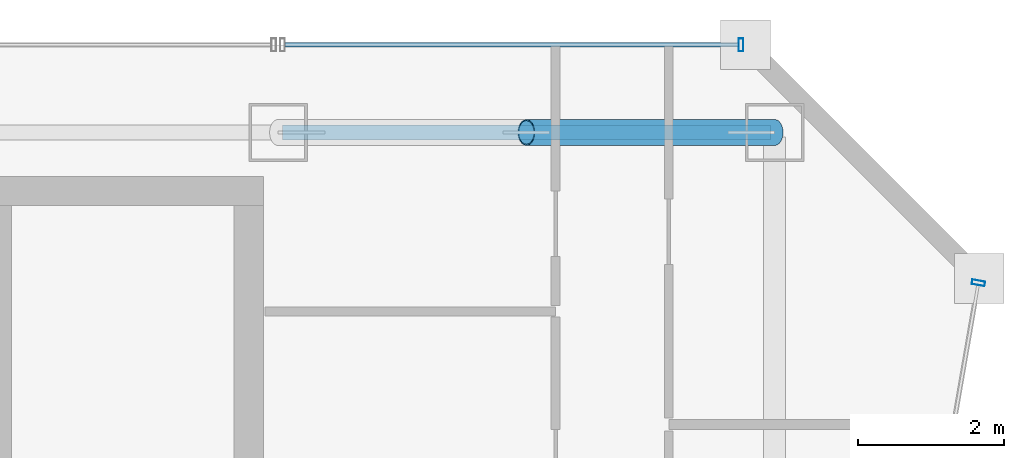
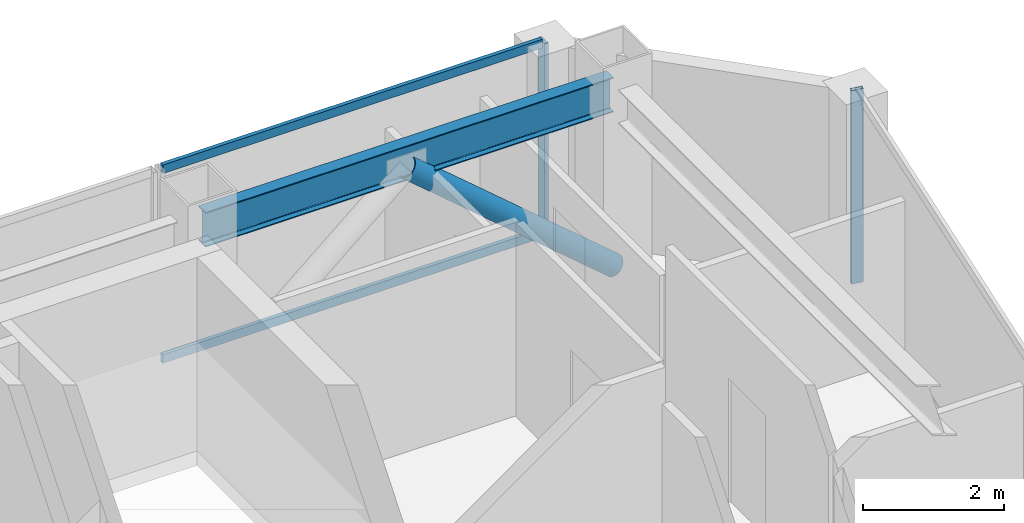
# One storey, part 25 of 35: 5 members, 1 beam, 2 elements without a shape of their own.
"""IFC4 building model written with IfcOpenShell, lengths in metres."""

from ifc_helpers import new_model, si_unit, direction, frame, origin, origin_2d, place, context, subcontext, project, spatial, hollow_rectangle, hollow_circle, i_section, extrude, material, material_profile, profile_set, type_object, element, aggregate, save


model = new_model("IFC4")

# Units and contexts
model_context = context("Model", 3, precision=1e-05, world=origin(), true_north=direction((0.0, 1.0)))
body_context = subcontext(model_context, "Body", "Model", "MODEL_VIEW")
ifc_project = project(units=[si_unit("LENGTHUNIT", "METRE"), si_unit("AREAUNIT", "SQUARE_METRE"), si_unit("VOLUMEUNIT", "CUBIC_METRE"), si_unit("PLANEANGLEUNIT", "RADIAN"), si_unit("MASSUNIT", "GRAM", prefix="KILO")], contexts=[model_context])

# Site, building, storey
site_placement = place(None, origin())
site = spatial("IfcSite", under=ifc_project, at=site_placement, CompositionType="ELEMENT")
building_placement = place(site_placement, origin())
building = spatial("IfcBuilding", under=site, at=building_placement, Name="Saevonmaru Cultural Tower", CompositionType="ELEMENT")
storey_placement = place(building_placement, frame((0.0, 0.0, 249.60009765625)))
storey = spatial("IfcBuildingStorey", under=building, at=storey_placement, Name="L58", CompositionType="ELEMENT", Elevation=249.60009765625)

# Beam
ifc_material_1 = material(Name="Steel SM355", Category="steel")
ifc_material_profile_1 = material_profile(ifc_material_1, i_section(OverallWidth=0.199951171875, OverallDepth=0.60009765625, WebThickness=0.010986328125, FlangeThickness=0.01708984375, FilletRadius=0.02197265625, at=origin_2d()), Name="H-600x200x11x17")
ifc_profile_set_1 = profile_set([ifc_material_profile_1], Name="Steel SM355")
beam_type = type_object("IfcBeamType", Name="BM-SP-H600", PredefinedType="SPANDREL", material=ifc_profile_set_1)
beam_placement = place(storey_placement, frame((46.4599609375, 54.800048828125, 3.0498046875), z_axis=(1.0, 0.0, 0.0), x_axis=(0.0, 1.0, 0.0)))
element("IfcBeam", 1, at=beam_placement, inside=storey, type_object=beam_type, Name="L58 North Spine Girder 5", PredefinedType="SPANDREL", context=body_context, shape_type="SweptSolid", body=[
    extrude(i_section(OverallWidth=0.199951171875, OverallDepth=0.60009765625, WebThickness=0.010986328125, FlangeThickness=0.01708984375, FilletRadius=0.02197265625, at=origin_2d()), origin(), (0.0, 0.0, 1.0), 6.679931640625),
])

# Member
ifc_material_profile_2 = material_profile(ifc_material_1, hollow_circle(Radius=0.177734375, WallThickness=0.01611328125, at=origin_2d()), Name="CHS-355.6x16")
ifc_profile_set_2 = profile_set([ifc_material_profile_2], Name="Steel SM355")
member_type_1 = type_object("IfcMemberType", Name="MB-PBR-CHS356", PredefinedType="BRACE", material=ifc_profile_set_2)
member_1_placement = place(storey_placement, frame((53.199951171875, 54.800048828125, 0.02001953125), z_axis=(-0.760835538728, 0.0, 0.648944745728), x_axis=(0.0, -1.0, 0.0)))
element("IfcMember", 2, at=member_1_placement, inside=storey, type_object=member_type_1, Name="L58 Perimeter Braced-Tube Diagonal EN2", PredefinedType="BRACE", context=body_context, shape_type="SweptSolid", body=[
    extrude(hollow_circle(Radius=0.177734375, WallThickness=0.01611328125, at=origin_2d()), origin(), (0.0, 0.0, 1.0), 4.46875),
])

# Curtain wall, member
ifc_material_2 = material(Name="Satin Bronze Anodised Aluminium", Category="aluminium")
curtain_wall_type = type_object("IfcCurtainWallType", Name="CW-TYP-B", PredefinedType="NOTDEFINED", material=ifc_material_2)
curtain_wall_1_placement = place(storey_placement, origin())
curtain_wall_1 = element("IfcCurtainWall", 3, at=curtain_wall_1_placement, inside=storey, type_object=curtain_wall_type, Name="L58 Unitised Curtain Wall E8", PredefinedType="NOTDEFINED")
ifc_material_profile_3 = material_profile(ifc_material_2, hollow_rectangle(XDim=0.06494140625, YDim=0.179931640625, WallThickness=0.00390625, at=origin_2d()), Name="ALU-MULL-180x65x4")
ifc_profile_set_3 = profile_set([ifc_material_profile_3], Name="Satin Bronze Anodised Aluminium")
member_type_2 = type_object("IfcMemberType", Name="ML-CW-180x65", PredefinedType="MULLION", material=ifc_profile_set_3)
member_2_placement = place(storey_placement, frame((55.98974609375, 52.740966796875, 0.0), z_axis=(0.0, 0.0, 1.0), x_axis=(0.170790369887, 0.985307388359, 0.0)))
member_2 = element("IfcMember", 4, at=member_2_placement, type_object=member_type_2, Name="CW-TW-L58-E8 mullion 4", PredefinedType="MULLION", context=body_context, shape_type="SweptSolid", body=[
    extrude(hollow_rectangle(XDim=0.06494140625, YDim=0.179931640625, WallThickness=0.00390625, at=origin_2d()), origin(), (0.0, 0.0, 1.0), 3.349853515625),
])
aggregate(curtain_wall_1, [member_2])

# Curtain wall, members
curtain_wall_2_placement = place(storey_placement, origin())
curtain_wall_2 = element("IfcCurtainWall", 5, at=curtain_wall_2_placement, inside=storey, type_object=curtain_wall_type, Name="L58 East Braced Bay Spandrel Curtain Wall E10A", PredefinedType="NOTDEFINED")
member_3_placement = place(storey_placement, frame((52.739990234375, 56.0, 0.0), z_axis=(0.0, 0.0, 1.0), x_axis=(-1.0, 0.0, 0.0)))
member_3 = element("IfcMember", 6, at=member_3_placement, type_object=member_type_2, Name="CW-TW-L58-E10A mullion 1", PredefinedType="MULLION", context=body_context, shape_type="SweptSolid", body=[
    extrude(hollow_rectangle(XDim=0.06494140625, YDim=0.179931640625, WallThickness=0.00390625, at=origin_2d()), origin(), (0.0, 0.0, 1.0), 3.349853515625),
])
ifc_material_profile_4 = material_profile(ifc_material_2, hollow_rectangle(XDim=0.06494140625, YDim=0.14990234375, WallThickness=0.00390625, at=origin_2d()), Name="ALU-TRAN-150x65x4")
ifc_profile_set_4 = profile_set([ifc_material_profile_4], Name="Satin Bronze Anodised Aluminium")
member_type_3 = type_object("IfcMemberType", Name="TR-CW-150x65", PredefinedType="USERDEFINED", material=ifc_profile_set_4)
member_4_placement = place(storey_placement, frame((52.70751953125, 56.0, 0.032470703125), z_axis=(-1.0, 0.0, 0.0), x_axis=(0.0, -1.0, 0.0)))
member_4 = element("IfcMember", 7, at=member_4_placement, type_object=member_type_3, Name="CW-TW-L58-E10A transom 1.1", ObjectType="TRANSOM", PredefinedType="USERDEFINED", context=body_context, shape_type="SweptSolid", body=[
    extrude(hollow_rectangle(XDim=0.06494140625, YDim=0.14990234375, WallThickness=0.00390625, at=origin_2d()), origin(), (0.0, 0.0, 1.0), 6.215087890625),
])
member_5_placement = place(storey_placement, frame((52.70751953125, 56.0, 3.3173828125), z_axis=(-1.0, 0.0, 0.0), x_axis=(0.0, -1.0, 0.0)))
member_5 = element("IfcMember", 8, at=member_5_placement, type_object=member_type_3, Name="CW-TW-L58-E10A transom 1.2", ObjectType="TRANSOM", PredefinedType="USERDEFINED", context=body_context, shape_type="SweptSolid", body=[
    extrude(hollow_rectangle(XDim=0.06494140625, YDim=0.14990234375, WallThickness=0.00390625, at=origin_2d()), origin(), (0.0, 0.0, 1.0), 6.215087890625),
])
aggregate(curtain_wall_2, [member_3, member_4, member_5])

save(model, "model.ifc")
